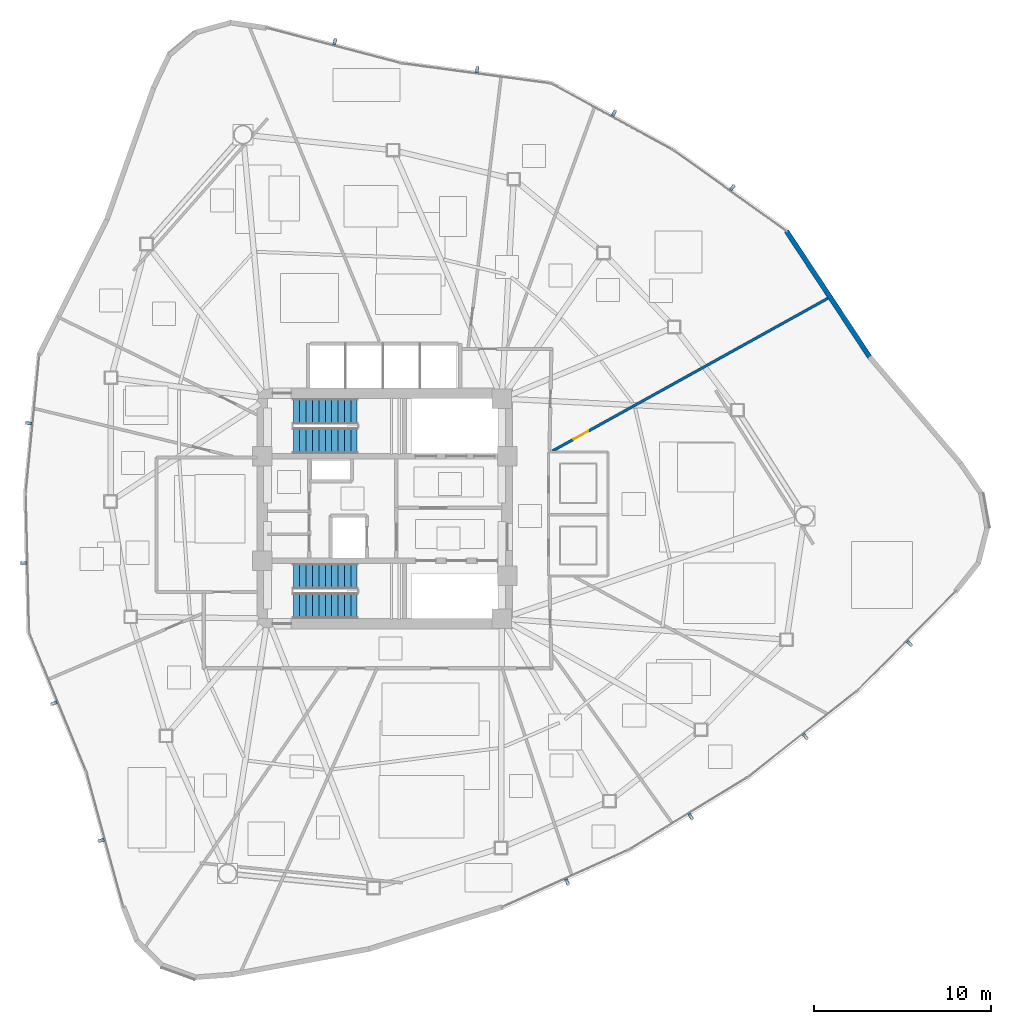
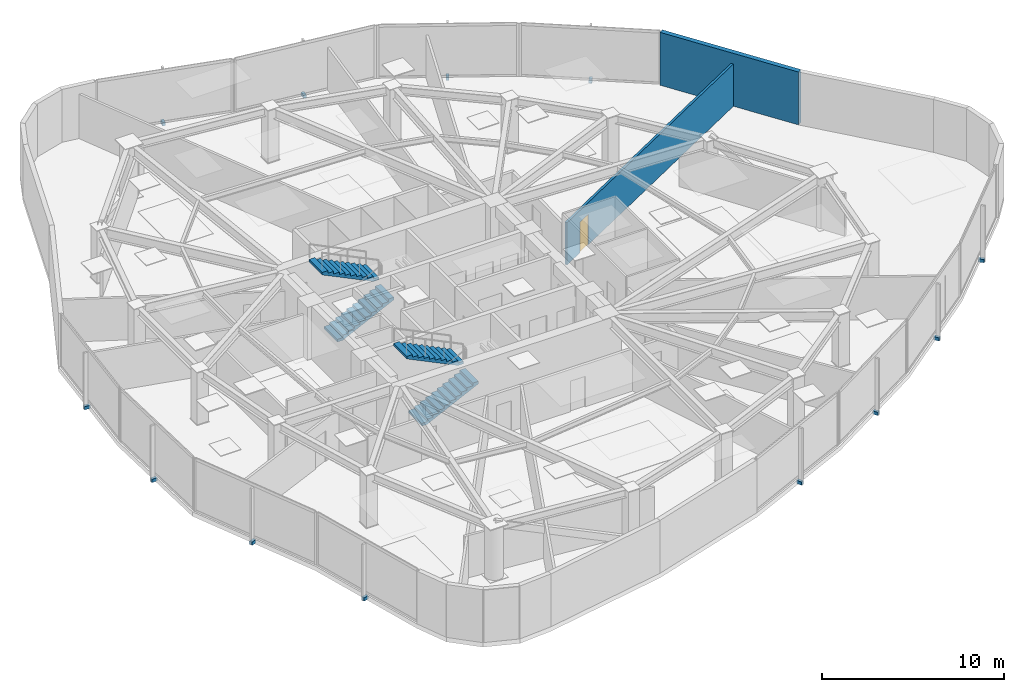
# One storey, part 13 of 17: 12 discrete accessories, 4 stair flights, 2 walls, 1 door, 1 opening, 2 elements without a shape of their own.
"""IFC4 building model written with IfcOpenShell, lengths in metres."""

from ifc_helpers import new_model, si_unit, direction, frame, frame_2d, origin, origin_2d, place, context, subcontext, project, spatial, polyline, rectangle, outline, extrude, source, transform, mapped, material, layer, layer_set, type_object, type_shapes, element, fill, aggregate, save


model = new_model("IFC4")

# Units and contexts
model_context = context("Model", 3, precision=1e-05, world=origin(), true_north=direction((0.0, 1.0)))
body_context = subcontext(model_context, "Body", "Model", "MODEL_VIEW")
ifc_project = project(units=[si_unit("LENGTHUNIT", "METRE"), si_unit("AREAUNIT", "SQUARE_METRE"), si_unit("VOLUMEUNIT", "CUBIC_METRE"), si_unit("PLANEANGLEUNIT", "RADIAN"), si_unit("MASSUNIT", "GRAM", prefix="KILO")], contexts=[model_context])

# Site, building, storey
site_placement = place(None, origin())
site = spatial("IfcSite", under=ifc_project, at=site_placement, CompositionType="ELEMENT")
building_placement = place(site_placement, origin())
building = spatial("IfcBuilding", under=site, at=building_placement, Name="Tavelor Broadcast Tower", CompositionType="ELEMENT")
storey_placement = place(building_placement, frame((0.0, 0.0, 150.25)))
storey = spatial("IfcBuildingStorey", under=building, at=storey_placement, Name="L35", CompositionType="ELEMENT", Elevation=150.25)

# Wall
ifc_material_1 = material(Name="Precast Concrete C40/50", Category="concrete")
ifc_layer_1 = layer(ifc_material_1, 0.280029296875)
ifc_layer_set_1 = layer_set([ifc_layer_1], Name="Precast Concrete C40/50")
wall_type_1 = type_object("IfcWallType", Name="Insulated Precast Terracotta Facade Wall 280 mm", PredefinedType="STANDARD", material=ifc_layer_set_1)
wall_1_placement = place(storey_placement, frame((77.35302734375, 53.528564453125, 0.0), z_axis=(0.0, 0.0, 1.0), x_axis=(-0.551124772076, 0.834422845807, 0.0)))
element("IfcWall", 1, at=wall_1_placement, inside=storey, type_object=wall_type_1, Name="L35 Rounded Corner Structural Cladding Pier 26", PredefinedType="STANDARD", context=body_context, shape_type="SweptSolid", body=[
    extrude(rectangle(XDim=8.521240234375, YDim=0.280029296875, at=frame_2d((4.2607421875, 0.0))), origin(), (0.0, 0.0, 1.0), 3.550048828125),
])

# Wall, opening, door
ifc_material_2 = material(Name="Gypsum Acoustic Plasterboard 150 mm", Category="gypsum")
ifc_layer_2 = layer(ifc_material_2, 0.14990234375)
ifc_layer_set_2 = layer_set([ifc_layer_2], Name="Gypsum Acoustic Plasterboard 150 mm")
wall_type_2 = type_object("IfcWallType", Name="Interior Acoustic Partition Wall 150 mm", PredefinedType="PARTITIONING", material=ifc_layer_set_2)
wall_2_placement = place(storey_placement, frame((59.463134765625, 48.25, 0.0), z_axis=(0.0, 0.0, 1.0), x_axis=(0.87461815062, 0.48481242827, 0.0)))
wall_2 = element("IfcWall", 2, at=wall_2_placement, inside=storey, type_object=wall_type_2, Name="L35 Radial Compartment Wall 01", PredefinedType="PARTITIONING", context=body_context, shape_type="SweptSolid", body=[
    extrude(rectangle(XDim=17.900634765625, YDim=0.14990234375, at=frame_2d((8.9501953125, 0.0))), origin(), (0.0, 0.0, 1.0), 2.8349609375),
])
opening_placement = place(wall_2_placement, frame((1.35009765625, 0.0, 0.0)))
opening = element("IfcOpeningElement", 3, at=opening_placement, cuts=wall_2, Name="Opening DR18", PredefinedType="OPENING", context=body_context, shape_type="SweptSolid", body=[
    extrude(rectangle(XDim=0.949951171875, YDim=2.050048828125, at=frame_2d((0.47509765625, 1.02490234375))), frame((0.0, 0.0849609375, 0.0), z_axis=(0.0, -1.0, 0.0), x_axis=(1.0, 0.0, 0.0)), (0.0, 0.0, 1.0), 0.169921875),
])
ifc_material_3 = material(Name="Timber Solid Core Hardwood", Category="wood")
door_type = type_object("IfcDoorType", Name="Corridor Rated Compartment Door 950x2050", OperationType="NOTDEFINED", PredefinedType="DOOR", material=ifc_material_3)
door_placement = place(opening_placement, origin())
door = element("IfcDoor", 4, at=door_placement, inside=storey, type_object=door_type, Name="L35 Suite Connecting Door 0", OperationType="SINGLE_SWING_LEFT", OverallHeight=2.050048828125, OverallWidth=0.949951171875, PredefinedType="DOOR", context=body_context, shape_type="SweptSolid", body=[
    extrude(rectangle(XDim=0.949951171875, YDim=2.050048828125, at=frame_2d((0.47509765625, 1.02490234375))), frame((0.0, 0.02490234375, 0.0), z_axis=(0.0, -1.0, 0.0), x_axis=(1.0, 0.0, 0.0)), (0.0, 0.0, 1.0), 0.050048828125),
])
fill(opening, door)

# Stair, stair flights
ifc_material_4 = material(Name="Concrete C40/50", Category="concrete")
stair_type = type_object("IfcStairType", Name="Reinforced Concrete Protected Dogleg Stair 1450 mm", PredefinedType="HALF_TURN_STAIR", material=ifc_material_4)
stair_1_placement = place(storey_placement, origin())
stair_1 = element("IfcStair", 5, at=stair_1_placement, inside=storey, type_object=stair_type, Name="L35 Protected Core Exit Stair ST1", PredefinedType="HALF_TURN_STAIR")
stair_flight_type = type_object("IfcStairFlightType", Name="Reinforced Concrete Stair Flight 1450 mm", PredefinedType="STRAIGHT", material=ifc_material_4)
stair_flight_1_placement = place(storey_placement, frame((44.85009765625, 48.824951171875, 0.0), z_axis=(0.0, 0.0, 1.0), x_axis=(1.0, 0.0, 0.0)))
stair_flight_1 = element("IfcStairFlight", 6, at=stair_flight_1_placement, type_object=stair_flight_type, Name="ST1 flight 1", NumberOfRisers=11, NumberOfTreads=10, PredefinedType="STRAIGHT", RiserHeight=0.175, TreadLength=0.36, context=body_context, shape_type="SweptSolid", body=[
    extrude(outline(polyline([(0.0, 0.0), (0.0, 0.175048828125), (0.360107421875, 0.175048828125), (0.360107421875, 0.35009765625), (0.719970703125, 0.35009765625), (0.719970703125, 0.52490234375), (1.080078125, 0.52490234375), (1.080078125, 0.699951171875), (1.43994140625, 0.699951171875), (1.43994140625, 0.875), (1.800048828125, 0.875), (1.800048828125, 1.050048828125), (2.159912109375, 1.050048828125), (2.159912109375, 1.22509765625), (2.52001953125, 1.22509765625), (2.52001953125, 1.39990234375), (2.8798828125, 1.39990234375), (2.8798828125, 1.574951171875), (3.239990234375, 1.574951171875), (3.239990234375, 1.75), (3.60009765625, 1.75), (3.60009765625, 1.925048828125), (3.60009765625, 1.583251953125), (0.3427734375, 0.0), (0.0, 0.0)])), frame((0.0, 0.72509765625, 0.0), z_axis=(0.0, -1.0, 0.0), x_axis=(1.0, 0.0, 0.0)), (0.0, 0.0, 1.0), 1.449951171875),
])
stair_flight_2_placement = place(storey_placement, frame((48.449951171875, 50.47509765625, 1.925048828125), z_axis=(0.0, 0.0, 1.0), x_axis=(-1.0, 0.0, 0.0)))
stair_flight_2 = element("IfcStairFlight", 7, at=stair_flight_2_placement, type_object=stair_flight_type, Name="ST1 flight 2", NumberOfRisers=11, NumberOfTreads=10, PredefinedType="STRAIGHT", RiserHeight=0.175, TreadLength=0.36, context=body_context, shape_type="SweptSolid", body=[
    extrude(outline(polyline([(0.0, 0.0), (0.0, 0.175048828125), (0.360107421875, 0.175048828125), (0.360107421875, 0.35009765625), (0.719970703125, 0.35009765625), (0.719970703125, 0.52490234375), (1.080078125, 0.52490234375), (1.080078125, 0.699951171875), (1.43994140625, 0.699951171875), (1.43994140625, 0.875), (1.800048828125, 0.875), (1.800048828125, 1.050048828125), (2.159912109375, 1.050048828125), (2.159912109375, 1.22509765625), (2.52001953125, 1.22509765625), (2.52001953125, 1.39990234375), (2.8798828125, 1.39990234375), (2.8798828125, 1.574951171875), (3.239990234375, 1.574951171875), (3.239990234375, 1.75), (3.60009765625, 1.75), (3.60009765625, 1.925048828125), (3.60009765625, 1.583251953125), (0.3427734375, 0.0), (0.0, 0.0)])), frame((0.0, 0.72509765625, 0.0), z_axis=(0.0, -1.0, 0.0), x_axis=(1.0, 0.0, 0.0)), (0.0, 0.0, 1.0), 1.449951171875),
])
aggregate(stair_1, [stair_flight_1, stair_flight_2])

stair_2_placement = place(storey_placement, origin())
stair_2 = element("IfcStair", 8, at=stair_2_placement, inside=storey, type_object=stair_type, Name="L35 Protected Core Exit Stair ST2", PredefinedType="HALF_TURN_STAIR")
stair_flight_3_placement = place(storey_placement, frame((44.85009765625, 39.52490234375, 0.0), z_axis=(0.0, 0.0, 1.0), x_axis=(1.0, 0.0, 0.0)))
stair_flight_3 = element("IfcStairFlight", 9, at=stair_flight_3_placement, type_object=stair_flight_type, Name="ST2 flight 1", NumberOfRisers=11, NumberOfTreads=10, PredefinedType="STRAIGHT", RiserHeight=0.175, TreadLength=0.36, context=body_context, shape_type="SweptSolid", body=[
    extrude(outline(polyline([(0.0, 0.0), (0.0, 0.175048828125), (0.360107421875, 0.175048828125), (0.360107421875, 0.35009765625), (0.719970703125, 0.35009765625), (0.719970703125, 0.52490234375), (1.080078125, 0.52490234375), (1.080078125, 0.699951171875), (1.43994140625, 0.699951171875), (1.43994140625, 0.875), (1.800048828125, 0.875), (1.800048828125, 1.050048828125), (2.159912109375, 1.050048828125), (2.159912109375, 1.22509765625), (2.52001953125, 1.22509765625), (2.52001953125, 1.39990234375), (2.8798828125, 1.39990234375), (2.8798828125, 1.574951171875), (3.239990234375, 1.574951171875), (3.239990234375, 1.75), (3.60009765625, 1.75), (3.60009765625, 1.925048828125), (3.60009765625, 1.583251953125), (0.3427734375, 0.0), (0.0, 0.0)])), frame((0.0, 0.72509765625, 0.0), z_axis=(0.0, -1.0, 0.0), x_axis=(1.0, 0.0, 0.0)), (0.0, 0.0, 1.0), 1.449951171875),
])
stair_flight_4_placement = place(storey_placement, frame((48.449951171875, 41.175048828125, 1.925048828125), z_axis=(0.0, 0.0, 1.0), x_axis=(-1.0, 0.0, 0.0)))
stair_flight_4 = element("IfcStairFlight", 10, at=stair_flight_4_placement, type_object=stair_flight_type, Name="ST2 flight 2", NumberOfRisers=11, NumberOfTreads=10, PredefinedType="STRAIGHT", RiserHeight=0.175, TreadLength=0.36, context=body_context, shape_type="SweptSolid", body=[
    extrude(outline(polyline([(0.0, 0.0), (0.0, 0.175048828125), (0.360107421875, 0.175048828125), (0.360107421875, 0.35009765625), (0.719970703125, 0.35009765625), (0.719970703125, 0.52490234375), (1.080078125, 0.52490234375), (1.080078125, 0.699951171875), (1.43994140625, 0.699951171875), (1.43994140625, 0.875), (1.800048828125, 0.875), (1.800048828125, 1.050048828125), (2.159912109375, 1.050048828125), (2.159912109375, 1.22509765625), (2.52001953125, 1.22509765625), (2.52001953125, 1.39990234375), (2.8798828125, 1.39990234375), (2.8798828125, 1.574951171875), (3.239990234375, 1.574951171875), (3.239990234375, 1.75), (3.60009765625, 1.75), (3.60009765625, 1.925048828125), (3.60009765625, 1.583251953125), (0.3427734375, 0.0), (0.0, 0.0)])), frame((0.0, 0.72509765625, 0.0), z_axis=(0.0, -1.0, 0.0), x_axis=(1.0, 0.0, 0.0)), (0.0, 0.0, 1.0), 1.449951171875),
])
aggregate(stair_2, [stair_flight_3, stair_flight_4])

# Discrete accessories
ifc_material_5 = material(Name="Steel S355", Category="steel")
discrete_accessory_type = type_object("IfcDiscreteAccessoryType", Name="Stainless Baguette Outrigger Support Bracket 260x180", PredefinedType="BRACKET", material=ifc_material_5)
shared_shape = source(origin(), body_context, "Body", "SweptSolid", [
    extrude(rectangle(XDim=0.179931640625, YDim=0.340087890625, at=origin_2d()), origin(), (0.0, 0.0, 1.0), 0.216064453125),
])
type_shapes(discrete_accessory_type, [shared_shape])
for number, where, z_axis, x_axis, name in (
    (11, (29.930419921875, 49.810791015625, -0.2578125), (0.0, 0.0, 1.0), (-0.097235493922, -0.995261402206, 0.0), "L35 Baguette Outrigger Bracket 349"),
    (12, (29.6416015625, 41.935546875, -0.2578125), (0.0, 0.0, 1.0), (0.023908732351, -0.999714145402, 0.0), "L35 Baguette Outrigger Bracket 350"),
    (13, (31.3623046875, 34.02587890625, -0.2578125), (0.0, 0.0, 1.0), (0.380424828643, -0.924811845594, 0.0), "L35 Baguette Outrigger Bracket 351"),
    (14, (34.01806640625, 26.292236328125, -0.2578125), (0.0, 0.0, 1.0), (0.263536339841, -0.964649468762, 0.0), "L35 Baguette Outrigger Bracket 352"),
    (15, (60.285888671875, 23.951904296875, -0.2578125), (0.0, 0.0, 1.0), (0.910467235008, 0.413581206025, 0.0), "L35 Baguette Outrigger Bracket 353"),
    (16, (67.25048828125, 27.639404296875, -0.2578125), (0.0, 0.0, 1.0), (0.853732611941, 0.52071165467, 0.0), "L35 Baguette Outrigger Bracket 354"),
    (17, (73.717529296875, 32.142578125, -0.2578125), (0.0, 0.0, 1.0), (0.78445174743, 0.620189854765, 0.0), "L35 Baguette Outrigger Bracket 355"),
    (18, (79.59228515625, 37.3955078125, -0.2578125), (0.0, 0.0, 1.0), (0.703642775775, 0.710553899503, 0.0), "L35 Baguette Outrigger Bracket 356"),
    (19, (69.601318359375, 63.093017578125, -0.2578125), (0.0, 0.0, 1.0), (-0.813303910756, 0.581839108989, 0.0), "L35 Baguette Outrigger Bracket 357"),
    (20, (62.92529296875, 67.281005859375, -0.2578125), (0.0, 0.0, 1.0), (-0.877732212617, 0.479151503112, 0.0), "L35 Baguette Outrigger Bracket 358"),
    (21, (55.215087890625, 69.745361328125, -0.2578125), (0.0, 0.0, 1.0), (-0.991122966327, 0.132948356962, 0.0), "L35 Baguette Outrigger Bracket 359"),
    (22, (47.189453125, 71.312255859375, -0.2578125), (0.0, 0.0, 1.0), (-0.967179115616, 0.254095569259, 0.0), "L35 Baguette Outrigger Bracket 360"),
):
    element("IfcDiscreteAccessory", number, at=place(storey_placement, frame(where, z_axis=z_axis, x_axis=x_axis)), inside=storey, type_object=discrete_accessory_type, Name=name, PredefinedType="BRACKET", context=body_context, shape_type="MappedRepresentation", body=[
        mapped(shared_shape, transform((0.0, 0.0, 0.0), scale=1.0)),
    ])

save(model, "model.ifc")
